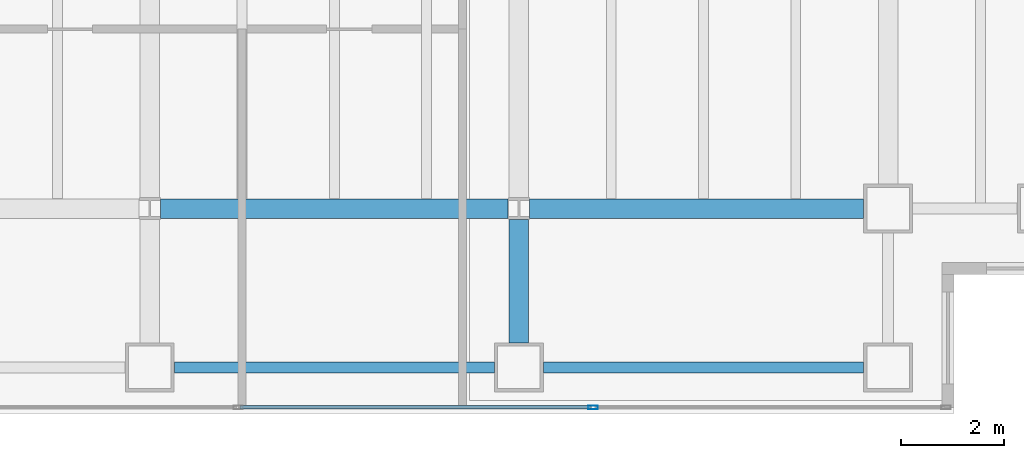
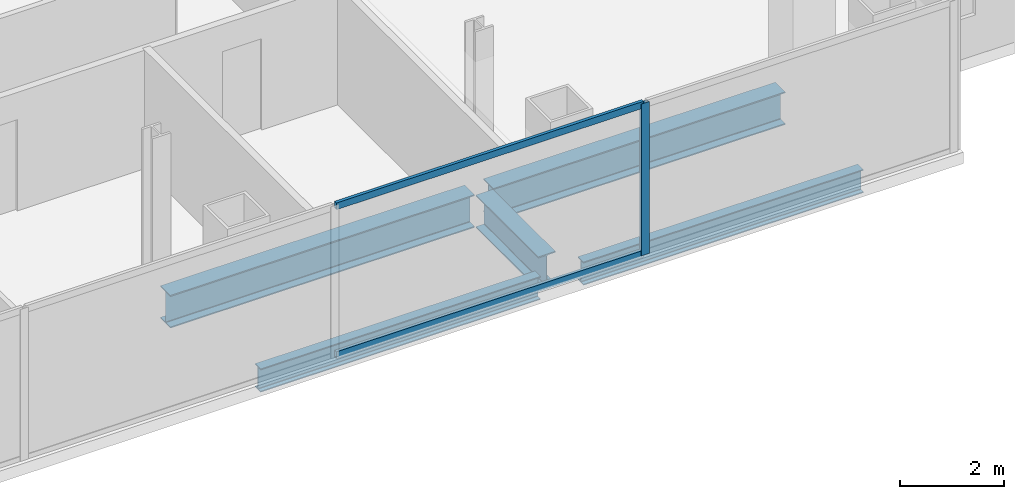
# One storey, part 9 of 24: 5 beams, 3 members, 1 element without a shape of its own.
"""IFC4 building model written with IfcOpenShell, lengths in metres."""

import ifcopenshell
import ifcopenshell.guid

model = None  # the IFC model being written
_history = None  # IfcOwnerHistory: only IFC2X3 demands one
_inside = {}  # id of a spatial element -> (the spatial element, [elements in it])
_under = {}  # id of a project, library or spatial element -> (it, [spatial elements below it])
_declared = {}  # id of a project -> (the project, [libraries it declares])
_typed = {}  # id of a type object -> (the type object, [elements of that type])
_made_of = {}  # id of a material, layer set ... -> (it, [elements and type objects made of it])


def new_model(schema):
    """Start an empty IFC model of exactly this schema.

    Asked for "IFC4X3", IfcOpenShell would pick the latest addendum, in which some entities
    have other attributes; the version numbers below select the first issue.
    IFC2X3 requires an IfcOwnerHistory on every rooted entity: one is made here for all.
    """
    global model, _history
    if schema == "IFC4X3":
        model = ifcopenshell.file(schema_version=(4, 3, 0, 0))
    else:
        model = ifcopenshell.file(schema=schema)
    _inside.clear()
    _under.clear()
    _declared.clear()
    _typed.clear()
    _made_of.clear()
    _history = None
    if model.schema == "IFC2X3":
        org = make("IfcOrganization", Name="unknown")
        user = make(
            "IfcPersonAndOrganization",
            ThePerson=make("IfcPerson", FamilyName="unknown"),
            TheOrganization=org,
        )
        app = make(
            "IfcApplication",
            ApplicationDeveloper=org,
            Version="unknown",
            ApplicationFullName="unknown",
            ApplicationIdentifier="unknown",
        )
        _history = make(
            "IfcOwnerHistory",
            OwningUser=user,
            OwningApplication=app,
            ChangeAction="ADDED",
            CreationDate=0,
        )
    return model


def make(cls, **values):
    """One entity of the class cls with the attributes given. An attribute that is None is left unset."""
    return model.create_entity(
        cls, **{name: value for name, value in values.items() if value is not None}
    )


def rooted(cls, **values):
    """An entity with a GlobalId (a new one), such as an element, a storey or a relation."""
    return make(cls, GlobalId=ifcopenshell.guid.new(), OwnerHistory=_history, **values)


def si_unit(unit_type, name, prefix=None):
    """IfcSIUnit, for example si_unit("LENGTHUNIT", "METRE", prefix="MILLI")."""
    return make("IfcSIUnit", UnitType=unit_type, Prefix=prefix, Name=name)


def assignment(units):
    """IfcUnitAssignment: the units of a project."""
    return None if units is None else make("IfcUnitAssignment", Units=units)


def point(xyz):
    """IfcCartesianPoint."""
    return None if xyz is None else make("IfcCartesianPoint", Coordinates=xyz)


def direction(xyz):
    """IfcDirection."""
    return None if xyz is None else make("IfcDirection", DirectionRatios=xyz)


def frame(location, z_axis=None, x_axis=None):
    """IfcAxis2Placement3D, a coordinate frame: its origin and axes. An axis left out is left unset."""
    return make(
        "IfcAxis2Placement3D",
        Location=point(location),
        Axis=direction(z_axis),
        RefDirection=direction(x_axis),
    )


def frame_2d(location, x_axis=None):
    """IfcAxis2Placement2D, a coordinate frame in the plane: its origin and x axis."""
    return make(
        "IfcAxis2Placement2D", Location=point(location), RefDirection=direction(x_axis)
    )


def origin():
    """The frame at (0, 0, 0) with its axes left unset."""
    return frame((0.0, 0.0, 0.0))


def origin_2d():
    """The frame at (0, 0) in the plane with its x axis left unset."""
    return frame_2d((0.0, 0.0))


def place(relative_to, where):
    """IfcLocalPlacement: puts the frame where relative to a parent placement (None: the world)."""
    return make(
        "IfcLocalPlacement", PlacementRelTo=relative_to, RelativePlacement=where
    )


def context(
    kind, dimensions, precision=None, world=None, true_north=None, identifier=None
):
    """IfcGeometricRepresentationContext, for example the 3D "Model" context."""
    return make(
        "IfcGeometricRepresentationContext",
        ContextIdentifier=identifier,
        ContextType=kind,
        CoordinateSpaceDimension=dimensions,
        Precision=precision,
        WorldCoordinateSystem=world,
        TrueNorth=true_north,
    )


def subcontext(parent, identifier, kind, view, scale=None):
    """IfcGeometricRepresentationSubContext, for example "Body" below "Model"."""
    return make(
        "IfcGeometricRepresentationSubContext",
        ContextIdentifier=identifier,
        ContextType=kind,
        ParentContext=parent,
        TargetScale=scale,
        TargetView=view,
    )


def project(units=None, contexts=None):
    """IfcProject with its units and contexts."""
    return rooted(
        "IfcProject",
        Name="project",
        RepresentationContexts=contexts,
        UnitsInContext=assignment(units),
    )


def spatial(cls, under=None, at=None, **own):
    """A site, building, storey or space (cls), placed at a placement, below another one or the project."""
    s = rooted(cls, ObjectPlacement=at, **own)
    if under is not None:
        _under.setdefault(under.id(), (under, []))[1].append(s)
    return s


def profile(cls, at=None, kind="AREA", **sizes):
    """A parametric profile (cls). Its sizes go by their IFC names, for example OverallWidth=200.0."""
    return make(cls, ProfileType=kind, Position=at, **sizes)


def hollow_rectangle(**sizes):
    """IfcRectangleHollowProfileDef."""
    return profile("IfcRectangleHollowProfileDef", **sizes)


def i_section(**sizes):
    """IfcIShapeProfileDef."""
    return profile("IfcIShapeProfileDef", **sizes)


def extrude(swept, where, along, depth):
    """IfcExtrudedAreaSolid: the profile swept, set in the frame where, extruded along a direction by depth."""
    return make(
        "IfcExtrudedAreaSolid",
        SweptArea=swept,
        Position=where,
        ExtrudedDirection=direction(along),
        Depth=depth,
    )


def shape(context_of_items, identifier, shape_type, items):
    """IfcShapeRepresentation: the items that make up one representation, for example the "Body"."""
    return make(
        "IfcShapeRepresentation",
        ContextOfItems=context_of_items,
        RepresentationIdentifier=identifier,
        RepresentationType=shape_type,
        Items=items,
    )


def material(Name=None, Category=None):
    """IfcMaterial."""
    return make("IfcMaterial", Name=Name, Category=Category)


def material_profile(
    of_material, cross_section, Name=None, Category=None, Priority=None
):
    """IfcMaterialProfile: a cross section and its material."""
    return make(
        "IfcMaterialProfile",
        Name=Name,
        Material=of_material,
        Profile=cross_section,
        Priority=Priority,
        Category=Category,
    )


def profile_set(profiles, Name=None, composite=None):
    """IfcMaterialProfileSet."""
    return make(
        "IfcMaterialProfileSet",
        Name=Name,
        MaterialProfiles=profiles,
        CompositeProfile=composite,
    )


def made_of(thing, what):
    """Note that an element or type object is made of a material, layer set ...; save() writes the relation."""
    if what is not None:
        _made_of.setdefault(what.id(), (what, []))[1].append(thing)
    return thing


def type_object(cls, material=None, **own):
    """A type object (cls), such as IfcWallType, which elements share."""
    return made_of(rooted(cls, **own), material)


def element(
    cls,
    number,
    at=None,
    inside=None,
    cuts=None,
    type_object=None,
    material=None,
    context=None,
    identifier="Body",
    shape_type=None,
    held_by="IfcProductDefinitionShape",
    body=None,
    shapes=None,
    **own,
):
    """One element of the class cls, such as IfcWall. Its Tag is "e" and its number.

    at: its placement. inside: the storey or other place that contains it. cuts: it is an
    opening in that element (IfcRelVoidsElement). A single representation is given by context,
    identifier, shape_type and body (its items); several are given by shapes. held_by: the class
    of the entity that holds the representations. save() writes the other relations.
    """
    e = rooted(cls, Tag="e%d" % number, ObjectPlacement=at, **own)
    if body is not None:
        shapes = [shape(context, identifier, shape_type, body)]
    if shapes is not None:
        e.Representation = make(held_by, Representations=shapes)
    if inside is not None:
        _inside.setdefault(inside.id(), (inside, []))[1].append(e)
    if cuts is not None:
        rooted(
            "IfcRelVoidsElement", RelatingBuildingElement=cuts, RelatedOpeningElement=e
        )
    if type_object is not None:
        _typed.setdefault(type_object.id(), (type_object, []))[1].append(e)
    return made_of(e, material)


def aggregate(whole, parts):
    """IfcRelAggregates: a whole, such as a stair, and the parts it consists of."""
    return rooted("IfcRelAggregates", RelatingObject=whole, RelatedObjects=parts)


def save(model, path):
    """Write the relations noted so far, then the file.

    IfcRelAggregates (storeys below a building ...), IfcRelContainedInSpatialStructure (elements
    in a storey), IfcRelDefinesByType, IfcRelAssociatesMaterial and IfcRelDeclares: one each for
    every whole, place, type object, material and project.
    """
    for whole, parts in _under.values():
        aggregate(whole, parts)
    for where, things in _inside.values():
        rooted(
            "IfcRelContainedInSpatialStructure",
            RelatedElements=things,
            RelatingStructure=where,
        )
    for kind, things in _typed.values():
        rooted("IfcRelDefinesByType", RelatedObjects=things, RelatingType=kind)
    for what, things in _made_of.values():
        rooted("IfcRelAssociatesMaterial", RelatedObjects=things, RelatingMaterial=what)
    for by, libraries in _declared.values():
        rooted("IfcRelDeclares", RelatingContext=by, RelatedDefinitions=libraries)
    model.write(path)


model = new_model("IFC4")

# Units and contexts
model_context = context("Model", 3, precision=1e-05, world=origin(), true_north=direction((0.0, 1.0)))
body_context = subcontext(model_context, "Body", "Model", "MODEL_VIEW")
ifc_project = project(units=[si_unit("LENGTHUNIT", "METRE"), si_unit("AREAUNIT", "SQUARE_METRE"), si_unit("VOLUMEUNIT", "CUBIC_METRE"), si_unit("PLANEANGLEUNIT", "RADIAN"), si_unit("MASSUNIT", "GRAM", prefix="KILO")], contexts=[model_context])

# Site, building, storey
site_placement = place(None, origin())
site = spatial("IfcSite", under=ifc_project, at=site_placement, CompositionType="ELEMENT")
building_placement = place(site_placement, origin())
building = spatial("IfcBuilding", under=site, at=building_placement, Name="Cobrela Telecom Tower", CompositionType="ELEMENT")
storey_placement = place(building_placement, frame((0.0, 0.0, 106.050048828125)))
storey = spatial("IfcBuildingStorey", under=building, at=storey_placement, Name="L26", CompositionType="ELEMENT", Elevation=106.050048828125)

# Beams
ifc_material_1 = material(Name="Steel ASTM A992 Grade 50", Category="steel")
ifc_material_profile_1 = material_profile(ifc_material_1, i_section(OverallWidth=0.381103515625, OverallDepth=0.77197265625, WebThickness=0.0166015625, FlangeThickness=0.027099609375, FilletRadius=0.01904296875, at=origin_2d()), Name="W30X173")
ifc_profile_set_1 = profile_set([ifc_material_profile_1], Name="Steel ASTM A992 Grade 50")
beam_type_1 = type_object("IfcBeamType", Name="BM-GIRD-04", PredefinedType="USERDEFINED", material=ifc_profile_set_1)
beam_1_placement = place(storey_placement, frame((29.009521484375, 7.199951171875, -0.656005859375), z_axis=(1.0, 0.0, 0.0), x_axis=(0.0, 1.0, 0.0)))
element("IfcBeam", 1, at=beam_1_placement, inside=storey, type_object=beam_type_1, Name="L26 Primary Girder X10", ObjectType="GIRDER", PredefinedType="USERDEFINED", context=body_context, shape_type="SweptSolid", body=[
    extrude(i_section(OverallWidth=0.381103515625, OverallDepth=0.77197265625, WebThickness=0.0166015625, FlangeThickness=0.027099609375, FilletRadius=0.01904296875, at=origin_2d()), origin(), (0.0, 0.0, 1.0), 6.781005859375),
])
beam_2_placement = place(storey_placement, frame((36.20947265625, 7.199951171875, -0.656005859375), z_axis=(1.0, 0.0, 0.0), x_axis=(0.0, 1.0, 0.0)))
element("IfcBeam", 2, at=beam_2_placement, inside=storey, type_object=beam_type_1, Name="L26 Primary Girder X11", ObjectType="GIRDER", PredefinedType="USERDEFINED", context=body_context, shape_type="SweptSolid", body=[
    extrude(i_section(OverallWidth=0.381103515625, OverallDepth=0.77197265625, WebThickness=0.0166015625, FlangeThickness=0.027099609375, FilletRadius=0.01904296875, at=origin_2d()), origin(), (0.0, 0.0, 1.0), 6.510498046875),
])
beam_3_placement = place(storey_placement, frame((36.0, 4.580078125, -0.656005859375), z_axis=(0.0, 1.0, 0.0), x_axis=(-1.0, 0.0, 0.0)))
element("IfcBeam", 3, at=beam_3_placement, inside=storey, type_object=beam_type_1, Name="L26 Primary Girder Y49", ObjectType="GIRDER", PredefinedType="USERDEFINED", context=body_context, shape_type="SweptSolid", body=[
    extrude(i_section(OverallWidth=0.381103515625, OverallDepth=0.77197265625, WebThickness=0.0166015625, FlangeThickness=0.027099609375, FilletRadius=0.01904296875, at=origin_2d()), origin(), (0.0, 0.0, 1.0), 2.410400390625),
])
ifc_material_profile_2 = material_profile(ifc_material_1, i_section(OverallWidth=0.212890625, OverallDepth=0.549072265625, WebThickness=0.0146484375, FlangeThickness=0.023681640625, FilletRadius=0.013916015625, at=origin_2d()), Name="W21X93")
ifc_profile_set_2 = profile_set([ifc_material_profile_2], Name="Steel ASTM A992 Grade 50")
beam_type_2 = type_object("IfcBeamType", Name="BM-SPAND-03", PredefinedType="SPANDREL", material=ifc_profile_set_2)
for number, where, z_axis, x_axis, name in (
    (4, (29.280029296875, 4.10009765625, -0.54443359375), (1.0, 0.0, 0.0), (0.0, 1.0, 0.0), "L26 Perimeter Spandrel X04"),
    (5, (36.47998046875, 4.10009765625, -0.54443359375), (1.0, 0.0, 0.0), (0.0, 1.0, 0.0), "L26 Perimeter Spandrel X05"),
):
    element("IfcBeam", number, at=place(storey_placement, frame(where, z_axis=z_axis, x_axis=x_axis)), inside=storey, type_object=beam_type_2, Name=name, PredefinedType="SPANDREL", context=body_context, shape_type="SweptSolid", body=[
        extrude(i_section(OverallWidth=0.212890625, OverallDepth=0.549072265625, WebThickness=0.0146484375, FlangeThickness=0.023681640625, FilletRadius=0.013916015625, at=origin_2d()), origin(), (0.0, 0.0, 1.0), 6.239990234375),
    ])

# Curtain wall, members
ifc_material_2 = material(Name="Anodized Bronze Aluminium 6063-T6", Category="aluminium")
curtain_wall_type = type_object("IfcCurtainWallType", Name="CW-SYS-TEL", PredefinedType="USERDEFINED", material=ifc_material_2)
curtain_wall_placement = place(storey_placement, origin())
curtain_wall = element("IfcCurtainWall", 6, at=curtain_wall_placement, inside=storey, type_object=curtain_wall_type, Name="L26 Unitised Bronze Curtain Wall 17", ObjectType="UNITISED CURTAIN WALL", PredefinedType="USERDEFINED")
ifc_material_profile_3 = material_profile(ifc_material_2, hollow_rectangle(XDim=0.074951171875, YDim=0.179931640625, WallThickness=0.00390625, at=origin_2d()), Name="ALU 75x180x4")
ifc_profile_set_3 = profile_set([ifc_material_profile_3], Name="Anodized Bronze Aluminium 6063-T6")
member_type_1 = type_object("IfcMemberType", Name="CW-SYS-TEL-MUL", PredefinedType="MULLION", material=ifc_profile_set_3)
member_1_placement = place(storey_placement, frame((37.44677734375, 3.320068359375, 0.0), z_axis=(0.0, 0.0, 1.0), x_axis=(0.0, -1.0, 0.0)))
member_1 = element("IfcMember", 7, at=member_1_placement, type_object=member_type_1, Name="CW-TEL mullion 2", PredefinedType="MULLION", context=body_context, shape_type="SweptSolid", body=[
    extrude(hollow_rectangle(XDim=0.074951171875, YDim=0.179931640625, WallThickness=0.00390625, at=origin_2d()), origin(), (0.0, 0.0, 1.0), 3.579833984375),
])
ifc_material_profile_4 = material_profile(ifc_material_2, hollow_rectangle(XDim=0.070068359375, YDim=0.159912109375, WallThickness=0.00390625, at=origin_2d()), Name="ALU 70x160x4")
ifc_profile_set_4 = profile_set([ifc_material_profile_4], Name="Anodized Bronze Aluminium 6063-T6")
member_type_2 = type_object("IfcMemberType", Name="CW-SYS-TEL-TRN", PredefinedType="USERDEFINED", material=ifc_profile_set_4)
member_2_placement = place(storey_placement, frame((37.4091796875, 3.320068359375, 0.034912109375), z_axis=(-1.0, 0.0, 0.0), x_axis=(0.0, -1.0, 0.0)))
member_2 = element("IfcMember", 8, at=member_2_placement, type_object=member_type_2, Name="CW-TEL transom 2.1", ObjectType="TRANSOM", PredefinedType="USERDEFINED", context=body_context, shape_type="SweptSolid", body=[
    extrude(hollow_rectangle(XDim=0.070068359375, YDim=0.159912109375, WallThickness=0.00390625, at=origin_2d()), origin(), (0.0, 0.0, 1.0), 6.848388671875),
])
member_3_placement = place(storey_placement, frame((37.4091796875, 3.320068359375, 3.544921875), z_axis=(-1.0, 0.0, 0.0), x_axis=(0.0, -1.0, 0.0)))
member_3 = element("IfcMember", 9, at=member_3_placement, type_object=member_type_2, Name="CW-TEL transom 2.2", ObjectType="TRANSOM", PredefinedType="USERDEFINED", context=body_context, shape_type="SweptSolid", body=[
    extrude(hollow_rectangle(XDim=0.070068359375, YDim=0.159912109375, WallThickness=0.00390625, at=origin_2d()), origin(), (0.0, 0.0, 1.0), 6.848388671875),
])
aggregate(curtain_wall, [member_1, member_2, member_3])

save(model, "model.ifc")
